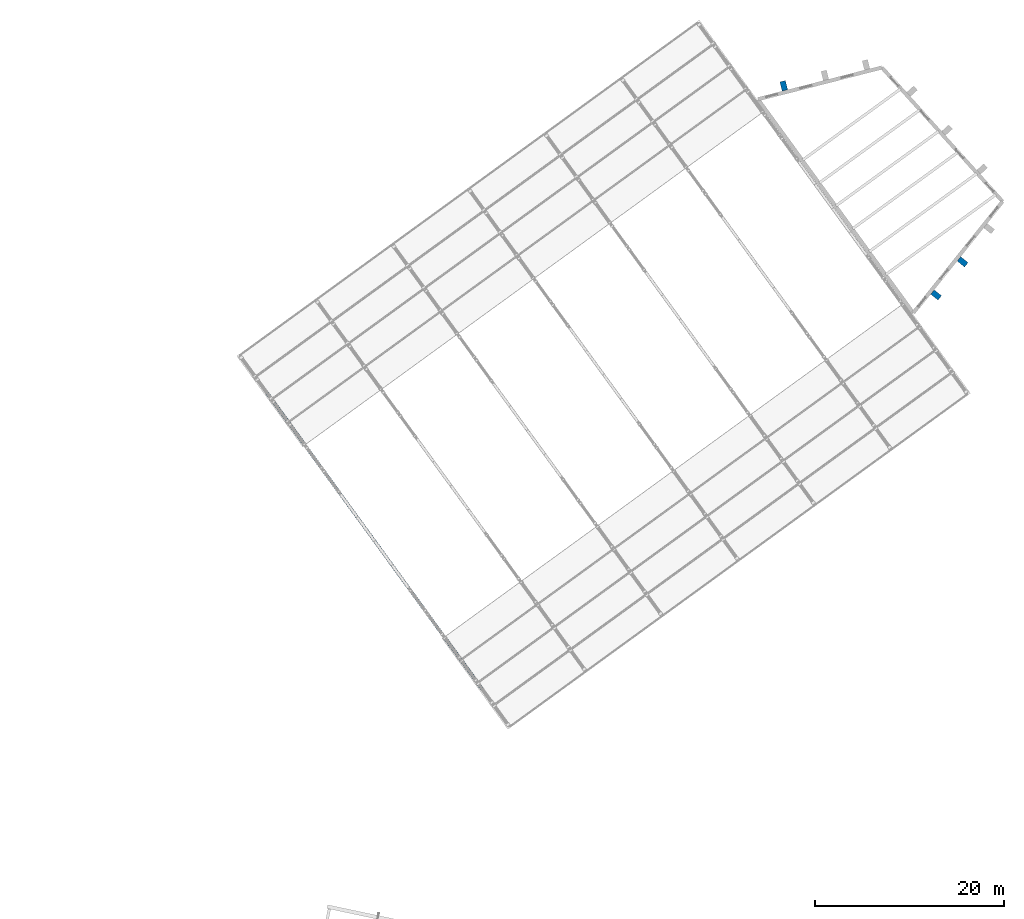
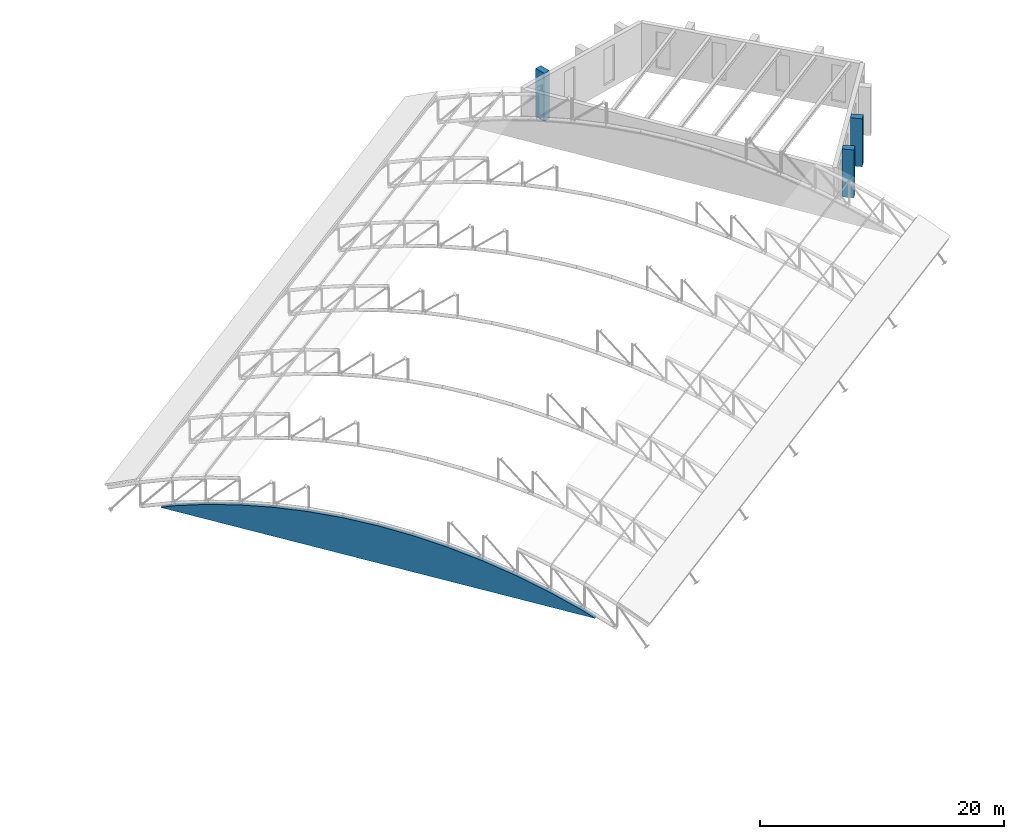
# One storey, part 50 of 69: 4 walls.
"""IFC4 building model written with IfcOpenShell, lengths in metres."""

from ifc_helpers import new_model, si_unit, direction, frame, frame_2d, origin, place, context, subcontext, project, spatial, polyline, rectangle, outline, extrude, material, layer, layer_set, type_object, element, save


model = new_model("IFC4")

# Units and contexts
model_context = context("Model", 3, precision=1e-05, world=origin(), true_north=direction((0.0, 1.0)))
body_context = subcontext(model_context, "Body", "Model", "MODEL_VIEW")
ifc_project = project(units=[si_unit("LENGTHUNIT", "METRE"), si_unit("AREAUNIT", "SQUARE_METRE"), si_unit("VOLUMEUNIT", "CUBIC_METRE"), si_unit("PLANEANGLEUNIT", "RADIAN"), si_unit("MASSUNIT", "GRAM", prefix="KILO")], contexts=[model_context])

# Site, building, storey
site_placement = place(None, origin())
site = spatial("IfcSite", under=ifc_project, at=site_placement, CompositionType="ELEMENT")
building_placement = place(site_placement, origin())
building = spatial("IfcBuilding", under=site, at=building_placement, Name="Okhra Congress Centre", CompositionType="ELEMENT")
storey_placement = place(building_placement, frame((0.0, 0.0, 16.800048828125)))
storey = spatial("IfcBuildingStorey", under=building, at=storey_placement, Name="L03", CompositionType="ELEMENT", Elevation=16.800048828125)

# Walls
ifc_material_1 = material(Name="Concrete C30/37", Category="concrete")
ifc_layer_1 = layer(ifc_material_1, 0.35009765625)
ifc_layer_set_1 = layer_set([ifc_layer_1], Name="RC wall 350 REI 120 C30/37")
wall_type_1 = type_object("IfcWallType", Name="RC wall 350 REI 120 C30/37", PredefinedType="SOLIDWALL", material=ifc_layer_set_1)
wall_1_placement = place(storey_placement, frame((225.386962890625, 162.197509765625, 0.0), z_axis=(0.0, 0.0, 1.0), x_axis=(-0.587787365847, 0.809015458784, 0.0)))
element("IfcWall", 1, at=wall_1_placement, inside=storey, type_object=wall_type_1, Name="End wall W L03", PredefinedType="SOLIDWALL", context=body_context, shape_type="SweptSolid", body=[
    extrude(outline(polyline([(0.0, 0.0), (38.9482421875, 0.0), (37.943359375, 0.45068359375), (34.961669921875, 1.44189453125), (31.927490234375, 2.257568359375), (28.85107421875, 2.894775390625), (25.7431640625, 3.351318359375), (22.614013671875, 3.6259765625), (19.47412109375, 3.717529296875), (16.33447265625, 3.6259765625), (13.205078125, 3.351318359375), (10.09716796875, 2.894775390625), (7.02099609375, 2.257568359375), (3.98681640625, 1.44189453125), (1.005126953125, 0.45068359375), (0.0, 0.0)])), frame((0.0, 0.175048828125, 0.0), z_axis=(0.0, -1.0, 0.0), x_axis=(1.0, 0.0, 0.0)), (0.0, 0.0, 1.0), 0.35009765625),
])
ifc_material_2 = material(Name="Concrete C35/45", Category="concrete")
ifc_layer_2 = layer(ifc_material_2, 0.60009765625)
ifc_layer_set_2 = layer_set([ifc_layer_2], Name="Stage house fin 600 R 120 C35/45")
wall_type_2 = type_object("IfcWallType", Name="Stage house fin 600 R 120 C35/45", PredefinedType="SOLIDWALL", material=ifc_layer_set_2)
for number, where, z_axis, x_axis, name in (
    (2, (273.06494140625, 204.345458984375, 0.0), (0.0, 0.0, 1.0), (0.78058288061, -0.625052291011, 0.0), "Stage house fin S1 L03"),
    (3, (275.877197265625, 207.8583984375, 0.0), (0.0, 0.0, 1.0), (0.78058288061, -0.625052291011, 0.0), "Stage house fin S2 L03"),
):
    element("IfcWall", number, at=place(storey_placement, frame(where, z_axis=z_axis, x_axis=x_axis)), inside=storey, type_object=wall_type_2, Name=name, PredefinedType="SOLIDWALL", context=body_context, shape_type="SweptSolid", body=[
        extrude(rectangle(XDim=1.0, YDim=0.60009765625, at=frame_2d((0.5, 0.0))), origin(), (0.0, 0.0, 1.0), 4.800048828125),
    ])
wall_2_placement = place(storey_placement, frame((257.4326171875, 225.71826171875, 0.0), z_axis=(0.0, 0.0, 1.0), x_axis=(-0.247758657109, 0.968821783316, 0.0)))
element("IfcWall", 4, at=wall_2_placement, inside=storey, type_object=wall_type_2, Name="Stage house fin N1 L03", PredefinedType="SOLIDWALL", context=body_context, shape_type="SweptSolid", body=[
    extrude(rectangle(XDim=1.000244140625, YDim=0.60009765625, at=frame_2d((0.5, 0.0))), origin(), (0.0, 0.0, 1.0), 4.800048828125),
])

save(model, "model.ifc")
